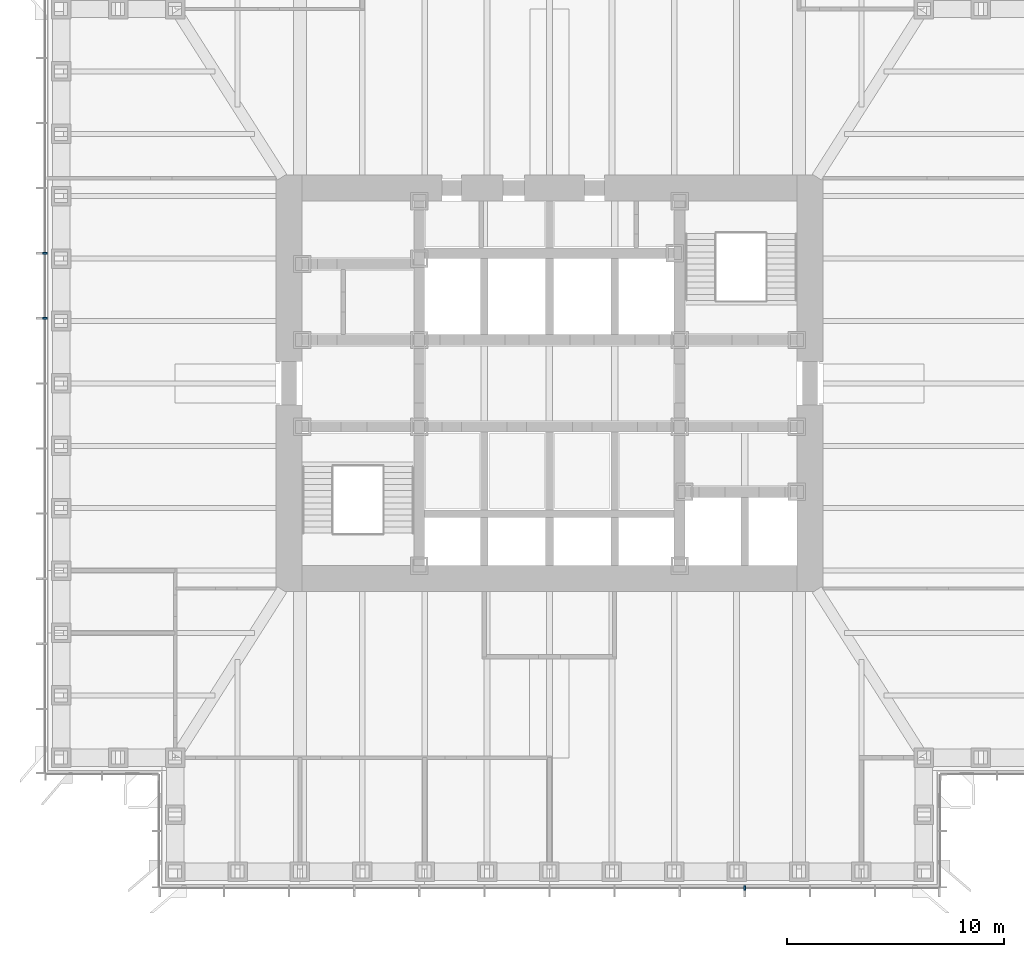
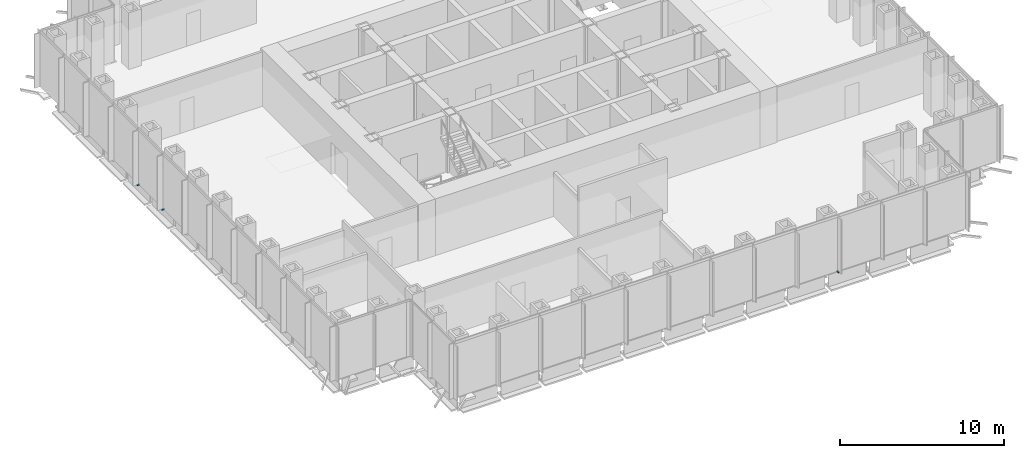
# One storey, part 12 of 17: 3 discrete accessories.
"""IFC4 building model written with IfcOpenShell, lengths in metres."""

import ifcopenshell
import ifcopenshell.guid

model = None  # the IFC model being written
_history = None  # IfcOwnerHistory: only IFC2X3 demands one
_inside = {}  # id of a spatial element -> (the spatial element, [elements in it])
_under = {}  # id of a project, library or spatial element -> (it, [spatial elements below it])
_declared = {}  # id of a project -> (the project, [libraries it declares])
_typed = {}  # id of a type object -> (the type object, [elements of that type])
_made_of = {}  # id of a material, layer set ... -> (it, [elements and type objects made of it])


def new_model(schema):
    """Start an empty IFC model of exactly this schema.

    Asked for "IFC4X3", IfcOpenShell would pick the latest addendum, in which some entities
    have other attributes; the version numbers below select the first issue.
    IFC2X3 requires an IfcOwnerHistory on every rooted entity: one is made here for all.
    """
    global model, _history
    if schema == "IFC4X3":
        model = ifcopenshell.file(schema_version=(4, 3, 0, 0))
    else:
        model = ifcopenshell.file(schema=schema)
    _inside.clear()
    _under.clear()
    _declared.clear()
    _typed.clear()
    _made_of.clear()
    _history = None
    if model.schema == "IFC2X3":
        org = make("IfcOrganization", Name="unknown")
        user = make(
            "IfcPersonAndOrganization",
            ThePerson=make("IfcPerson", FamilyName="unknown"),
            TheOrganization=org,
        )
        app = make(
            "IfcApplication",
            ApplicationDeveloper=org,
            Version="unknown",
            ApplicationFullName="unknown",
            ApplicationIdentifier="unknown",
        )
        _history = make(
            "IfcOwnerHistory",
            OwningUser=user,
            OwningApplication=app,
            ChangeAction="ADDED",
            CreationDate=0,
        )
    return model


def make(cls, **values):
    """One entity of the class cls with the attributes given. An attribute that is None is left unset."""
    return model.create_entity(
        cls, **{name: value for name, value in values.items() if value is not None}
    )


def rooted(cls, **values):
    """An entity with a GlobalId (a new one), such as an element, a storey or a relation."""
    return make(cls, GlobalId=ifcopenshell.guid.new(), OwnerHistory=_history, **values)


def si_unit(unit_type, name, prefix=None):
    """IfcSIUnit, for example si_unit("LENGTHUNIT", "METRE", prefix="MILLI")."""
    return make("IfcSIUnit", UnitType=unit_type, Prefix=prefix, Name=name)


def assignment(units):
    """IfcUnitAssignment: the units of a project."""
    return None if units is None else make("IfcUnitAssignment", Units=units)


def point(xyz):
    """IfcCartesianPoint."""
    return None if xyz is None else make("IfcCartesianPoint", Coordinates=xyz)


def direction(xyz):
    """IfcDirection."""
    return None if xyz is None else make("IfcDirection", DirectionRatios=xyz)


def frame(location, z_axis=None, x_axis=None):
    """IfcAxis2Placement3D, a coordinate frame: its origin and axes. An axis left out is left unset."""
    return make(
        "IfcAxis2Placement3D",
        Location=point(location),
        Axis=direction(z_axis),
        RefDirection=direction(x_axis),
    )


def frame_2d(location, x_axis=None):
    """IfcAxis2Placement2D, a coordinate frame in the plane: its origin and x axis."""
    return make(
        "IfcAxis2Placement2D", Location=point(location), RefDirection=direction(x_axis)
    )


def origin():
    """The frame at (0, 0, 0) with its axes left unset."""
    return frame((0.0, 0.0, 0.0))


def origin_2d():
    """The frame at (0, 0) in the plane with its x axis left unset."""
    return frame_2d((0.0, 0.0))


def place(relative_to, where):
    """IfcLocalPlacement: puts the frame where relative to a parent placement (None: the world)."""
    return make(
        "IfcLocalPlacement", PlacementRelTo=relative_to, RelativePlacement=where
    )


def context(
    kind, dimensions, precision=None, world=None, true_north=None, identifier=None
):
    """IfcGeometricRepresentationContext, for example the 3D "Model" context."""
    return make(
        "IfcGeometricRepresentationContext",
        ContextIdentifier=identifier,
        ContextType=kind,
        CoordinateSpaceDimension=dimensions,
        Precision=precision,
        WorldCoordinateSystem=world,
        TrueNorth=true_north,
    )


def subcontext(parent, identifier, kind, view, scale=None):
    """IfcGeometricRepresentationSubContext, for example "Body" below "Model"."""
    return make(
        "IfcGeometricRepresentationSubContext",
        ContextIdentifier=identifier,
        ContextType=kind,
        ParentContext=parent,
        TargetScale=scale,
        TargetView=view,
    )


def project(units=None, contexts=None):
    """IfcProject with its units and contexts."""
    return rooted(
        "IfcProject",
        Name="project",
        RepresentationContexts=contexts,
        UnitsInContext=assignment(units),
    )


def spatial(cls, under=None, at=None, **own):
    """A site, building, storey or space (cls), placed at a placement, below another one or the project."""
    s = rooted(cls, ObjectPlacement=at, **own)
    if under is not None:
        _under.setdefault(under.id(), (under, []))[1].append(s)
    return s


def profile(cls, at=None, kind="AREA", **sizes):
    """A parametric profile (cls). Its sizes go by their IFC names, for example OverallWidth=200.0."""
    return make(cls, ProfileType=kind, Position=at, **sizes)


def rectangle(**sizes):
    """IfcRectangleProfileDef."""
    return profile("IfcRectangleProfileDef", **sizes)


def extrude(swept, where, along, depth):
    """IfcExtrudedAreaSolid: the profile swept, set in the frame where, extruded along a direction by depth."""
    return make(
        "IfcExtrudedAreaSolid",
        SweptArea=swept,
        Position=where,
        ExtrudedDirection=direction(along),
        Depth=depth,
    )


def shape(context_of_items, identifier, shape_type, items):
    """IfcShapeRepresentation: the items that make up one representation, for example the "Body"."""
    return make(
        "IfcShapeRepresentation",
        ContextOfItems=context_of_items,
        RepresentationIdentifier=identifier,
        RepresentationType=shape_type,
        Items=items,
    )


def made_of(thing, what):
    """Note that an element or type object is made of a material, layer set ...; save() writes the relation."""
    if what is not None:
        _made_of.setdefault(what.id(), (what, []))[1].append(thing)
    return thing


def element(
    cls,
    number,
    at=None,
    inside=None,
    cuts=None,
    type_object=None,
    material=None,
    context=None,
    identifier="Body",
    shape_type=None,
    held_by="IfcProductDefinitionShape",
    body=None,
    shapes=None,
    **own,
):
    """One element of the class cls, such as IfcWall. Its Tag is "e" and its number.

    at: its placement. inside: the storey or other place that contains it. cuts: it is an
    opening in that element (IfcRelVoidsElement). A single representation is given by context,
    identifier, shape_type and body (its items); several are given by shapes. held_by: the class
    of the entity that holds the representations. save() writes the other relations.
    """
    e = rooted(cls, Tag="e%d" % number, ObjectPlacement=at, **own)
    if body is not None:
        shapes = [shape(context, identifier, shape_type, body)]
    if shapes is not None:
        e.Representation = make(held_by, Representations=shapes)
    if inside is not None:
        _inside.setdefault(inside.id(), (inside, []))[1].append(e)
    if cuts is not None:
        rooted(
            "IfcRelVoidsElement", RelatingBuildingElement=cuts, RelatedOpeningElement=e
        )
    if type_object is not None:
        _typed.setdefault(type_object.id(), (type_object, []))[1].append(e)
    return made_of(e, material)


def aggregate(whole, parts):
    """IfcRelAggregates: a whole, such as a stair, and the parts it consists of."""
    return rooted("IfcRelAggregates", RelatingObject=whole, RelatedObjects=parts)


def save(model, path):
    """Write the relations noted so far, then the file.

    IfcRelAggregates (storeys below a building ...), IfcRelContainedInSpatialStructure (elements
    in a storey), IfcRelDefinesByType, IfcRelAssociatesMaterial and IfcRelDeclares: one each for
    every whole, place, type object, material and project.
    """
    for whole, parts in _under.values():
        aggregate(whole, parts)
    for where, things in _inside.values():
        rooted(
            "IfcRelContainedInSpatialStructure",
            RelatedElements=things,
            RelatingStructure=where,
        )
    for kind, things in _typed.values():
        rooted("IfcRelDefinesByType", RelatedObjects=things, RelatingType=kind)
    for what, things in _made_of.values():
        rooted("IfcRelAssociatesMaterial", RelatedObjects=things, RelatingMaterial=what)
    for by, libraries in _declared.values():
        rooted("IfcRelDeclares", RelatingContext=by, RelatedDefinitions=libraries)
    model.write(path)


model = new_model("IFC4")

# Units and contexts
model_context = context("Model", 3, precision=1e-05, world=origin(), true_north=direction((0.0, 1.0)))
body_context = subcontext(model_context, "Body", "Model", "MODEL_VIEW")
ifc_project = project(units=[si_unit("LENGTHUNIT", "METRE"), si_unit("AREAUNIT", "SQUARE_METRE"), si_unit("VOLUMEUNIT", "CUBIC_METRE"), si_unit("PLANEANGLEUNIT", "RADIAN"), si_unit("MASSUNIT", "GRAM", prefix="KILO")], contexts=[model_context])

# Site, building, storey
site_placement = place(None, origin())
site = spatial("IfcSite", under=ifc_project, at=site_placement, CompositionType="ELEMENT")
building_placement = place(site_placement, origin())
building = spatial("IfcBuilding", under=site, at=building_placement, Name="Daluyong Arena Tower", CompositionType="ELEMENT")
storey_placement = place(building_placement, frame((0.0, 0.0, 112.300048828125)))
storey = spatial("IfcBuildingStorey", under=building, at=storey_placement, Name="L24", CompositionType="ELEMENT", Elevation=112.300048828125)

# Discrete accessories
for number, where, z_axis, x_axis, name in (
    (1, (65.0, 56.75, -0.10009765625), (0.0, 0.0, 1.0), (1.0, 0.0, 0.0), "curtain wall L24 S anchor bracket 10"),
    (2, (32.75, 86.0, -0.10009765625), (0.0, 0.0, 1.0), (0.0, -1.0, 0.0), "curtain wall L24 W anchor bracket 5"),
    (3, (32.75, 83.0, -0.10009765625), (0.0, 0.0, 1.0), (0.0, -1.0, 0.0), "curtain wall L24 W anchor bracket 6"),
):
    element("IfcDiscreteAccessory", number, at=place(storey_placement, frame(where, z_axis=z_axis, x_axis=x_axis)), inside=storey, Name=name, PredefinedType="BRACKET", context=body_context, shape_type="SweptSolid", body=[
        extrude(rectangle(XDim=0.080078125, YDim=0.199951171875, at=origin_2d()), origin(), (0.0, 0.0, 1.0), 0.10009765625),
    ])

save(model, "model.ifc")
